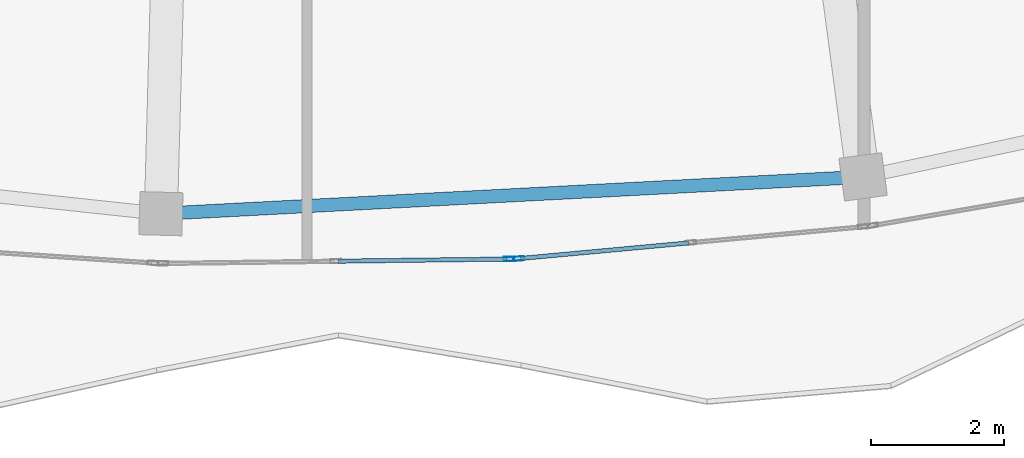
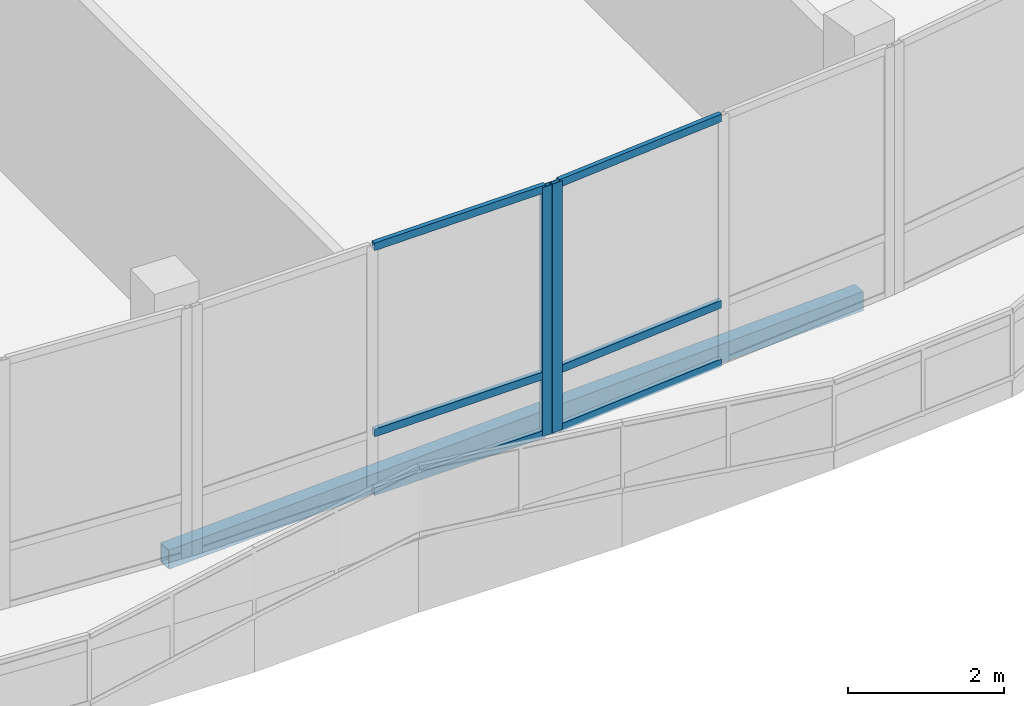
# One storey, part 20 of 184: 8 members, 1 beam, 2 elements without a shape of their own.
"""IFC4 building model written with IfcOpenShell, lengths in metres."""

from ifc_helpers import new_model, si_unit, direction, frame, origin, origin_2d, place, context, subcontext, project, spatial, hollow_rectangle, extrude, material, material_profile, profile_set, type_object, element, aggregate, save


model = new_model("IFC4")

# Units and contexts
model_context = context("Model", 3, precision=1e-05, world=origin(), true_north=direction((0.0, 1.0)))
body_context = subcontext(model_context, "Body", "Model", "MODEL_VIEW")
ifc_project = project(units=[si_unit("LENGTHUNIT", "METRE"), si_unit("AREAUNIT", "SQUARE_METRE"), si_unit("VOLUMEUNIT", "CUBIC_METRE"), si_unit("PLANEANGLEUNIT", "RADIAN"), si_unit("MASSUNIT", "GRAM", prefix="KILO")], contexts=[model_context])

# Site, building, storey
site_placement = place(None, origin())
site = spatial("IfcSite", under=ifc_project, at=site_placement, CompositionType="ELEMENT")
building_placement = place(site_placement, origin())
building = spatial("IfcBuilding", under=site, at=building_placement, Name="Selatvlak General Hospital", CompositionType="ELEMENT")
storey_placement = place(building_placement, frame((0.0, 0.0, 15.0)))
storey = spatial("IfcBuildingStorey", under=building, at=storey_placement, Name="L03", CompositionType="ELEMENT", Elevation=15.0)

# Beam
ifc_material_1 = material(Name="Steel S355", Category="steel")
ifc_material_profile_1 = material_profile(ifc_material_1, hollow_rectangle(XDim=0.199951171875, YDim=0.300048828125, WallThickness=0.011962890625, at=origin_2d()), Name="RHS 300x200x12")
ifc_profile_set_1 = profile_set([ifc_material_profile_1], Name="Steel S355")
beam_type = type_object("IfcBeamType", Name="BM-SP3", PredefinedType="SPANDREL", material=ifc_profile_set_1)
beam_placement = place(storey_placement, frame((54.196044921875, 12.77490234375, -0.489990234375), z_axis=(0.998624623926, 0.052429576466, 0.0), x_axis=(-0.052429576466, 0.998624623926, 0.0)))
element("IfcBeam", 1, at=beam_placement, inside=storey, type_object=beam_type, Name="Beam BMR-L03-1493", PredefinedType="SPANDREL", context=body_context, shape_type="SweptSolid", body=[
    extrude(hollow_rectangle(XDim=0.199951171875, YDim=0.300048828125, WallThickness=0.011962890625, at=origin_2d()), origin(), (0.0, 0.0, 1.0), 10.607666015625),
])

# Curtain wall, member
ifc_material_2 = material(Name="Solar-control Low-E double glazing", Category="glass")
curtain_wall_type_1 = type_object("IfcCurtainWallType", Name="CW-CW-02", PredefinedType="USERDEFINED", material=ifc_material_2)
curtain_wall_1_placement = place(storey_placement, origin())
curtain_wall_1 = element("IfcCurtainWall", 2, at=curtain_wall_1_placement, inside=storey, type_object=curtain_wall_type_1, Name="Glazed facade curtain wall CW-L03-0426", ObjectType="UNITISED CURTAIN WALL", PredefinedType="USERDEFINED")
ifc_material_3 = material(Name="Dark anodised aluminium mullion", Category="aluminium")
ifc_material_profile_2 = material_profile(ifc_material_3, hollow_rectangle(XDim=0.06494140625, YDim=0.159912109375, WallThickness=0.00390625, at=origin_2d()), Name="AL-MUL 65x160x4")
ifc_profile_set_2 = profile_set([ifc_material_profile_2], Name="Dark anodised aluminium mullion")
member_type_1 = type_object("IfcMemberType", Name="CWM-01", PredefinedType="MULLION", material=ifc_profile_set_2)
member_1_placement = place(storey_placement, frame((59.59130859375, 12.096923828125, 0.0), z_axis=(0.0, 0.0, 1.0), x_axis=(0.092291967773, -0.995731988381, 0.0)))
member_1 = element("IfcMember", 3, at=member_1_placement, type_object=member_type_1, Name="CW-02 mullion 3", PredefinedType="MULLION", context=body_context, shape_type="SweptSolid", body=[
    extrude(hollow_rectangle(XDim=0.06494140625, YDim=0.159912109375, WallThickness=0.00390625, at=origin_2d()), origin(), (0.0, 0.0, 1.0), 3.89501953125),
])

curtain_wall_type_2 = type_object("IfcCurtainWallType", Name="CW-CW-01", PredefinedType="USERDEFINED", material=ifc_material_2)
curtain_wall_2_placement = place(storey_placement, origin())
curtain_wall_2 = element("IfcCurtainWall", 4, at=curtain_wall_2_placement, inside=storey, type_object=curtain_wall_type_2, Name="Glazed facade curtain wall CW-L03-0427", ObjectType="UNITISED CURTAIN WALL", PredefinedType="USERDEFINED")
member_2_placement = place(storey_placement, frame((59.446533203125, 12.091552734375, 0.0), z_axis=(0.0, 0.0, 1.0), x_axis=(0.012671575694, -0.999919712362, 0.0)))
member_2 = element("IfcMember", 5, at=member_2_placement, type_object=member_type_1, Name="CW-01 mullion 1", PredefinedType="MULLION", context=body_context, shape_type="SweptSolid", body=[
    extrude(hollow_rectangle(XDim=0.06494140625, YDim=0.159912109375, WallThickness=0.00390625, at=origin_2d()), origin(), (0.0, 0.0, 1.0), 3.89501953125),
])

# Member
ifc_material_profile_3 = material_profile(ifc_material_3, hollow_rectangle(XDim=0.06494140625, YDim=0.1201171875, WallThickness=0.00390625, at=origin_2d()), Name="AL-TRN 65x120x4")
ifc_profile_set_3 = profile_set([ifc_material_profile_3], Name="Dark anodised aluminium mullion")
member_type_2 = type_object("IfcMemberType", Name="CWT-01", PredefinedType="USERDEFINED", material=ifc_profile_set_3)
member_3_placement = place(storey_placement, frame((62.1591796875, 12.3349609375, 0.032470703125), z_axis=(-0.995736924013, -0.092238702061, 0.0), x_axis=(0.092238702061, -0.995736924013, 0.0)))
member_3 = element("IfcMember", 6, at=member_3_placement, type_object=member_type_2, Name="CW-02 transom 2.1", ObjectType="TRANSOM", PredefinedType="USERDEFINED", context=body_context, shape_type="SweptSolid", body=[
    extrude(hollow_rectangle(XDim=0.06494140625, YDim=0.1201171875, WallThickness=0.00390625, at=origin_2d()), origin(), (0.0, 0.0, 1.0), 2.546142578125),
])

member_4_placement = place(storey_placement, frame((62.1591796875, 12.3349609375, 0.949951171875), z_axis=(-0.995736924013, -0.092238702061, 0.0), x_axis=(0.092238702061, -0.995736924013, 0.0)))
member_4 = element("IfcMember", 7, at=member_4_placement, type_object=member_type_2, Name="CW-02 transom 2.2", ObjectType="TRANSOM", PredefinedType="USERDEFINED", context=body_context, shape_type="SweptSolid", body=[
    extrude(hollow_rectangle(XDim=0.06494140625, YDim=0.1201171875, WallThickness=0.00390625, at=origin_2d()), origin(), (0.0, 0.0, 1.0), 2.546142578125),
])

member_5_placement = place(storey_placement, frame((62.1591796875, 12.3349609375, 3.862548828125), z_axis=(-0.995736924013, -0.092238702061, 0.0), x_axis=(0.092238702061, -0.995736924013, 0.0)))
member_5 = element("IfcMember", 8, at=member_5_placement, type_object=member_type_2, Name="CW-02 transom 2.3", ObjectType="TRANSOM", PredefinedType="USERDEFINED", context=body_context, shape_type="SweptSolid", body=[
    extrude(hollow_rectangle(XDim=0.06494140625, YDim=0.1201171875, WallThickness=0.00390625, at=origin_2d()), origin(), (0.0, 0.0, 1.0), 2.546142578125),
])

aggregate(curtain_wall_1, [member_1, member_3, member_4, member_5])

member_6_placement = place(storey_placement, frame((59.4140625, 12.091064453125, 0.032470703125), z_axis=(-0.99991990962, -0.01265600039, 0.0), x_axis=(0.01265600039, -0.99991990962, 0.0)))
member_6 = element("IfcMember", 9, at=member_6_placement, type_object=member_type_2, Name="CW-01 transom 1.1", ObjectType="TRANSOM", PredefinedType="USERDEFINED", context=body_context, shape_type="SweptSolid", body=[
    extrude(hollow_rectangle(XDim=0.06494140625, YDim=0.1201171875, WallThickness=0.00390625, at=origin_2d()), origin(), (0.0, 0.0, 1.0), 2.54638671875),
])

member_7_placement = place(storey_placement, frame((59.4140625, 12.091064453125, 0.949951171875), z_axis=(-0.99991990962, -0.01265600039, 0.0), x_axis=(0.01265600039, -0.99991990962, 0.0)))
member_7 = element("IfcMember", 10, at=member_7_placement, type_object=member_type_2, Name="CW-01 transom 1.2", ObjectType="TRANSOM", PredefinedType="USERDEFINED", context=body_context, shape_type="SweptSolid", body=[
    extrude(hollow_rectangle(XDim=0.06494140625, YDim=0.1201171875, WallThickness=0.00390625, at=origin_2d()), origin(), (0.0, 0.0, 1.0), 2.54638671875),
])

member_8_placement = place(storey_placement, frame((59.4140625, 12.091064453125, 3.862548828125), z_axis=(-0.99991990962, -0.01265600039, 0.0), x_axis=(0.01265600039, -0.99991990962, 0.0)))
member_8 = element("IfcMember", 11, at=member_8_placement, type_object=member_type_2, Name="CW-01 transom 1.3", ObjectType="TRANSOM", PredefinedType="USERDEFINED", context=body_context, shape_type="SweptSolid", body=[
    extrude(hollow_rectangle(XDim=0.06494140625, YDim=0.1201171875, WallThickness=0.00390625, at=origin_2d()), origin(), (0.0, 0.0, 1.0), 2.54638671875),
])

aggregate(curtain_wall_2, [member_2, member_6, member_7, member_8])

save(model, "model.ifc")
